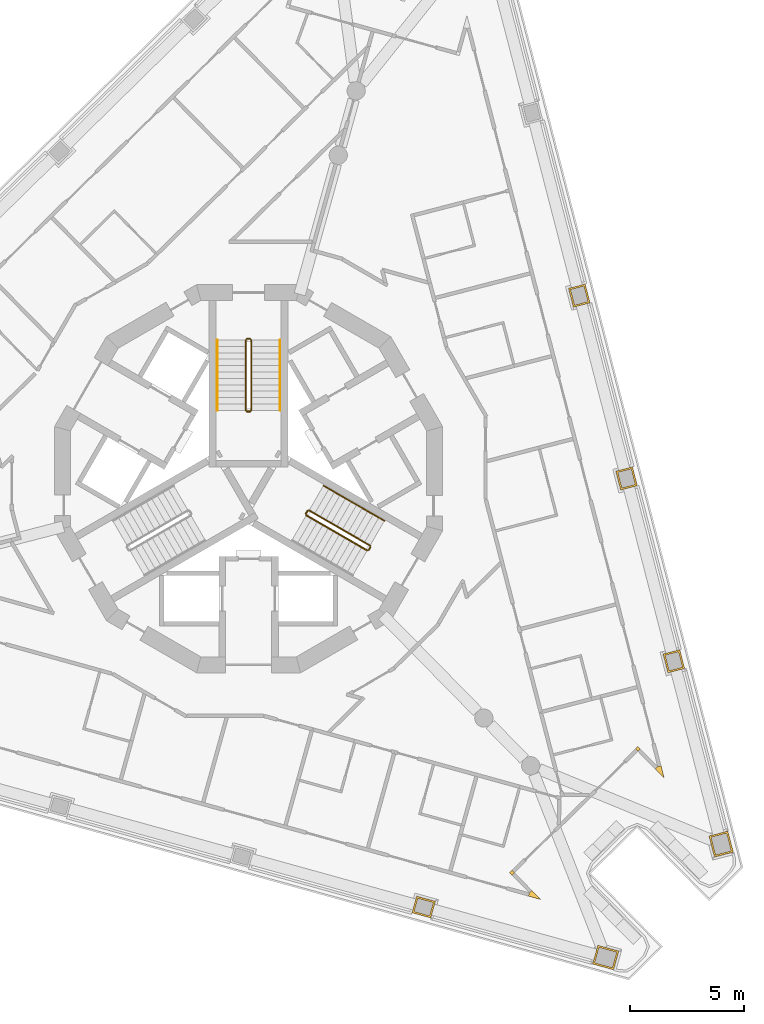
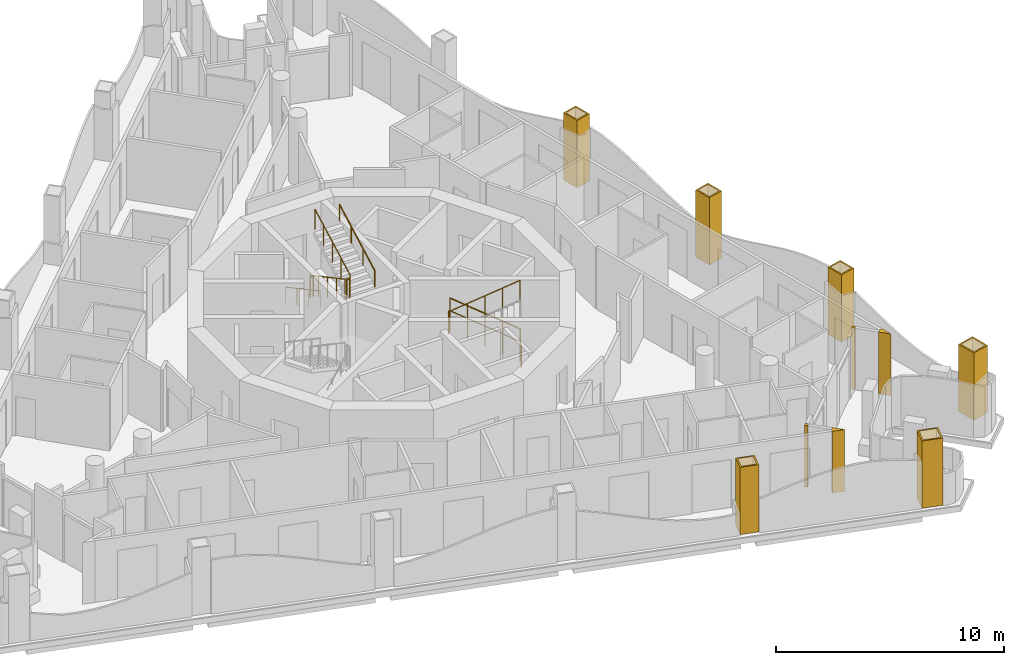
# One storey, part 12 of 14: 12 railings, 10 coverings.
"""IFC4 building model written with IfcOpenShell, lengths in metres."""

from ifc_helpers import new_model, si_unit, direction, frame, origin, origin_2d, place, context, subcontext, project, spatial, polyline, circle, outline, extrude, material, layer, layer_set, type_object, element, save


model = new_model("IFC4")

# Units and contexts
model_context = context("Model", 3, precision=1e-05, world=origin(), true_north=direction((0.0, 1.0)))
body_context = subcontext(model_context, "Body", "Model", "MODEL_VIEW")
ifc_project = project(units=[si_unit("LENGTHUNIT", "METRE"), si_unit("AREAUNIT", "SQUARE_METRE"), si_unit("VOLUMEUNIT", "CUBIC_METRE"), si_unit("PLANEANGLEUNIT", "RADIAN"), si_unit("MASSUNIT", "GRAM", prefix="KILO")], contexts=[model_context])

# Site, building, storey
site_placement = place(None, origin())
site = spatial("IfcSite", under=ifc_project, at=site_placement, CompositionType="ELEMENT")
building_placement = place(site_placement, origin())
building = spatial("IfcBuilding", under=site, at=building_placement, Name="Trine Commons Tower", CompositionType="ELEMENT")
storey_placement = place(building_placement, frame((0.0, 0.0, 245.699951171875)))
storey = spatial("IfcBuildingStorey", under=building, at=storey_placement, Name="L64", CompositionType="ELEMENT", Elevation=245.699951171875)

# Coverings
ifc_material_1 = material(Name="Aluminium-framed insulated wall panel", Category="aluminium")
ifc_layer_1 = layer(ifc_material_1, 0.14990234375)
ifc_layer_set_1 = layer_set([ifc_layer_1], Name="Aluminium-framed insulated wall panel")
covering_type_1 = type_object("IfcCoveringType", Name="Glazing corner post, aluminium", PredefinedType="CLADDING", material=ifc_layer_set_1)
covering_1_placement = place(storey_placement, origin())
element("IfcCovering", 1, at=covering_1_placement, inside=storey, type_object=covering_type_1, Name="Glazing corner post 7-06", PredefinedType="CLADDING", context=body_context, shape_type="SweptSolid", body=[
    extrude(outline(polyline([(97.80859375, 49.78515625), (98.200927734375, 49.3857421875), (98.060791015625, 49.927734375), (97.91552734375, 49.890380859375), (97.91552734375, 49.890380859375), (97.80859375, 49.78515625)])), origin(), (0.0, 0.0, 1.0), 3.300048828125),
])
covering_2_placement = place(storey_placement, origin())
element("IfcCovering", 2, at=covering_2_placement, inside=storey, type_object=covering_type_1, Name="Glazing corner post 7-07", PredefinedType="CLADDING", context=body_context, shape_type="SweptSolid", body=[
    extrude(outline(polyline([(96.9423828125, 50.66650390625), (97.047607421875, 50.5595703125), (97.154541015625, 50.66455078125), (97.04931640625, 50.771484375), (96.9423828125, 50.66650390625)])), origin(), (0.0, 0.0, 1.0), 3.300048828125),
])
covering_3_placement = place(storey_placement, origin())
element("IfcCovering", 3, at=covering_3_placement, inside=storey, type_object=covering_type_1, Name="Glazing corner post 7-08", PredefinedType="CLADDING", context=body_context, shape_type="SweptSolid", body=[
    extrude(outline(polyline([(91.5341796875, 45.1416015625), (91.64111328125, 45.24658203125), (91.535888671875, 45.353515625), (91.428955078125, 45.24853515625), (91.5341796875, 45.1416015625)])), origin(), (0.0, 0.0, 1.0), 3.300048828125),
])
covering_4_placement = place(storey_placement, origin())
element("IfcCovering", 4, at=covering_4_placement, inside=storey, type_object=covering_type_1, Name="Glazing corner post 7-09", PredefinedType="CLADDING", context=body_context, shape_type="SweptSolid", body=[
    extrude(outline(polyline([(92.255126953125, 44.222412109375), (92.79443359375, 44.072998046875), (92.402099609375, 44.47216796875), (92.295166015625, 44.3671875), (92.255126953125, 44.222412109375)])), origin(), (0.0, 0.0, 1.0), 3.300048828125),
])
ifc_material_2 = material(Name="Limestone, honed", Category="masonry")
ifc_layer_2 = layer(ifc_material_2, 0.074951171875)
ifc_layer_set_2 = layer_set([ifc_layer_2], Name="Limestone, honed")
covering_type_2 = type_object("IfcCoveringType", Name="Limestone column cladding 75", PredefinedType="CLADDING", material=ifc_layer_set_2)
covering_5_placement = place(storey_placement, origin())
element("IfcCovering", 5, at=covering_5_placement, inside=storey, type_object=covering_type_2, Name="Limestone pier cladding 7-01", PredefinedType="CLADDING", context=body_context, shape_type="SweptSolid", body=[
    extrude(outline(polyline([(95.292724609375, 42.0673828125), (95.0654296875, 41.248291015625), (95.98095703125, 40.994384765625), (96.2080078125, 41.8134765625), (95.292724609375, 42.0673828125)]), holes=[polyline([(95.344970703125, 41.97509765625), (95.15771484375, 41.300537109375), (95.9287109375, 41.086669921875), (96.11572265625, 41.76123046875), (95.344970703125, 41.97509765625)])]), origin(), (0.0, 0.0, 1.0), 3.60009765625),
])
covering_6_placement = place(storey_placement, origin())
element("IfcCovering", 6, at=covering_6_placement, inside=storey, type_object=covering_type_2, Name="Limestone pier cladding 7-02", PredefinedType="CLADDING", context=body_context, shape_type="SweptSolid", body=[
    extrude(outline(polyline([(87.359619140625, 44.215576171875), (87.158935546875, 43.492919921875), (87.97802734375, 43.265869140625), (88.1787109375, 43.988525390625), (87.359619140625, 44.215576171875)]), holes=[polyline([(87.41162109375, 44.123291015625), (87.25146484375, 43.545166015625), (87.92578125, 43.358154296875), (88.086181640625, 43.936279296875), (87.41162109375, 44.123291015625)])]), origin(), (0.0, 0.0, 1.0), 3.60009765625),
])
covering_7_placement = place(storey_placement, origin())
element("IfcCovering", 7, at=covering_7_placement, inside=storey, type_object=covering_type_2, Name="Limestone pier cladding 7-15", PredefinedType="CLADDING", context=body_context, shape_type="SweptSolid", body=[
    extrude(outline(polyline([(94.738525390625, 71.02099609375), (94.012451171875, 70.833251953125), (94.225341796875, 70.01025390625), (94.951416015625, 70.197998046875), (94.738525390625, 71.02099609375)]), holes=[polyline([(94.684814453125, 70.9296875), (94.10400390625, 70.779296875), (94.279296875, 70.101806640625), (94.860107421875, 70.251953125), (94.684814453125, 70.9296875)])]), origin(), (0.0, 0.0, 1.0), 3.60009765625),
])
covering_8_placement = place(storey_placement, origin())
element("IfcCovering", 8, at=covering_8_placement, inside=storey, type_object=covering_type_2, Name="Limestone pier cladding 7-16", PredefinedType="CLADDING", context=body_context, shape_type="SweptSolid", body=[
    extrude(outline(polyline([(96.808837890625, 63.015625), (96.082763671875, 62.827880859375), (96.295654296875, 62.0048828125), (97.021728515625, 62.192626953125), (96.808837890625, 63.015625)]), holes=[polyline([(96.755126953125, 62.92431640625), (96.17431640625, 62.77392578125), (96.349609375, 62.09619140625), (96.930419921875, 62.24658203125), (96.755126953125, 62.92431640625)])]), origin(), (0.0, 0.0, 1.0), 3.60009765625),
])
covering_9_placement = place(storey_placement, origin())
element("IfcCovering", 9, at=covering_9_placement, inside=storey, type_object=covering_type_2, Name="Limestone pier cladding 7-17", PredefinedType="CLADDING", context=body_context, shape_type="SweptSolid", body=[
    extrude(outline(polyline([(98.87939453125, 55.010498046875), (98.1533203125, 54.822509765625), (98.3662109375, 53.99951171875), (99.09228515625, 54.1875), (98.87939453125, 55.010498046875)]), holes=[polyline([(98.825439453125, 54.9189453125), (98.24462890625, 54.768798828125), (98.419921875, 54.091064453125), (99.000732421875, 54.2412109375), (98.825439453125, 54.9189453125)])]), origin(), (0.0, 0.0, 1.0), 3.60009765625),
])
covering_10_placement = place(storey_placement, origin())
element("IfcCovering", 10, at=covering_10_placement, inside=storey, type_object=covering_type_2, Name="Limestone pier cladding 7-18", PredefinedType="CLADDING", context=body_context, shape_type="SweptSolid", body=[
    extrude(outline(polyline([(100.985595703125, 47.06591796875), (100.16259765625, 46.853271484375), (100.400390625, 45.933349609375), (101.223388671875, 46.146240234375), (100.985595703125, 47.06591796875)]), holes=[polyline([(100.931640625, 46.974609375), (100.25390625, 46.79931640625), (100.454345703125, 46.02490234375), (101.132080078125, 46.2001953125), (100.931640625, 46.974609375)])]), origin(), (0.0, 0.0, 1.0), 3.60009765625),
])

# Railings
ifc_material_3 = material(Name="Stainless steel balustrade", Category="steel")
railing_type_1 = type_object("IfcRailingType", Name="Stair guard, steel balustrade 1100", PredefinedType="GUARDRAIL", material=ifc_material_3)
railing_1_placement = place(storey_placement, frame((79.875, 68.570556640625, 0.150146484375)))
element("IfcRailing", 11, at=railing_1_placement, inside=storey, type_object=railing_type_1, Name="L64 ST1C stair guard 1", PredefinedType="GUARDRAIL", context=body_context, shape_type="SweptSolid", body=[
    extrude(circle(Radius=0.02392578125, at=origin_2d()), frame((0.0, 0.0, 1.076171875), z_axis=(0.0, -0.881496589024, 0.472190389079), x_axis=(1.0, 0.0, 0.0)), (0.0, 0.0, 1.0), 3.494140625),
    extrude(circle(Radius=0.02099609375, at=origin_2d()), origin(), (0.0, 0.0, 1.0), 1.052001953125),
    extrude(circle(Radius=0.02099609375, at=origin_2d()), frame((0.0, -0.77001953125, 0.41259765625)), (0.0, 0.0, 1.0), 1.052001953125),
    extrude(circle(Radius=0.02099609375, at=origin_2d()), frame((0.0, -1.5400390625, 0.824951171875)), (0.0, 0.0, 1.0), 1.052001953125),
    extrude(circle(Radius=0.02099609375, at=origin_2d()), frame((0.0, -2.31005859375, 1.2373046875)), (0.0, 0.0, 1.0), 1.052001953125),
    extrude(circle(Radius=0.02099609375, at=origin_2d()), frame((0.0, -3.080078125, 1.64990234375)), (0.0, 0.0, 1.0), 1.052001953125),
])
railing_2_placement = place(storey_placement, frame((79.925048828125, 65.440673828125, 1.800048828125)))
element("IfcRailing", 12, at=railing_2_placement, inside=storey, type_object=railing_type_1, Name="L64 ST1C stair guard 2", PredefinedType="GUARDRAIL", context=body_context, shape_type="SweptSolid", body=[
    extrude(circle(Radius=0.02392578125, at=origin_2d()), frame((0.0, 0.0, 1.076171875), z_axis=(1.0, 0.0, 0.0), x_axis=(0.0, 1.0, 0.0)), (0.0, 0.0, 1.0), 0.14990234375),
    extrude(circle(Radius=0.02099609375, at=origin_2d()), origin(), (0.0, 0.0, 1.0), 1.052001953125),
    extrude(circle(Radius=0.02099609375, at=origin_2d()), frame((0.14990234375, 0.0, 0.0)), (0.0, 0.0, 1.0), 1.052001953125),
])
railing_3_placement = place(storey_placement, frame((80.125, 65.490478515625, 1.949951171875)))
element("IfcRailing", 13, at=railing_3_placement, inside=storey, type_object=railing_type_1, Name="L64 ST1C stair guard 3", PredefinedType="GUARDRAIL", context=body_context, shape_type="SweptSolid", body=[
    extrude(circle(Radius=0.02392578125, at=origin_2d()), frame((0.0, 0.0, 1.076171875), z_axis=(0.0, 0.881467505477, 0.472244678941), x_axis=(-1.0, 0.0, 0.0)), (0.0, 0.0, 1.0), 3.494140625),
    extrude(circle(Radius=0.02099609375, at=origin_2d()), origin(), (0.0, 0.0, 1.0), 1.052001953125),
    extrude(circle(Radius=0.02099609375, at=origin_2d()), frame((0.0, 0.77001953125, 0.41259765625)), (0.0, 0.0, 1.0), 1.052001953125),
    extrude(circle(Radius=0.02099609375, at=origin_2d()), frame((0.0, 1.5400390625, 0.8251953125)), (0.0, 0.0, 1.0), 1.052001953125),
    extrude(circle(Radius=0.02099609375, at=origin_2d()), frame((0.0, 2.31005859375, 1.237548828125)), (0.0, 0.0, 1.0), 1.052001953125),
    extrude(circle(Radius=0.02099609375, at=origin_2d()), frame((0.0, 3.080078125, 1.650146484375)), (0.0, 0.0, 1.0), 1.052001953125),
])
railing_4_placement = place(storey_placement, frame((79.925048828125, 68.62060546875, 0.0)))
element("IfcRailing", 14, at=railing_4_placement, inside=storey, type_object=railing_type_1, Name="L64 ST1C stair guard 4", PredefinedType="GUARDRAIL", context=body_context, shape_type="SweptSolid", body=[
    extrude(circle(Radius=0.02392578125, at=origin_2d()), frame((0.0, 0.0, 1.076171875), z_axis=(1.0, 0.0, 0.0), x_axis=(0.0, 1.0, 0.0)), (0.0, 0.0, 1.0), 0.14990234375),
    extrude(circle(Radius=0.02099609375, at=origin_2d()), origin(), (0.0, 0.0, 1.0), 1.052001953125),
    extrude(circle(Radius=0.02099609375, at=origin_2d()), frame((0.14990234375, 0.0, 0.0)), (0.0, 0.0, 1.0), 1.052001953125),
])
railing_5_placement = place(storey_placement, frame((85.31982421875, 59.572998046875, 0.150146484375)))
element("IfcRailing", 15, at=railing_5_placement, inside=storey, type_object=railing_type_1, Name="L64 ST3C stair guard 1", PredefinedType="GUARDRAIL", context=body_context, shape_type="SweptSolid", body=[
    extrude(circle(Radius=0.02392578125, at=origin_2d()), frame((0.0, 0.0, 1.076171875), z_axis=(-0.76340495495, 0.440743040072, 0.472184759798), x_axis=(-0.499992328818, -0.866029832698, 0.0)), (0.0, 0.0, 1.0), 3.494140625),
    extrude(circle(Radius=0.02099609375, at=origin_2d()), origin(), (0.0, 0.0, 1.0), 1.052001953125),
    extrude(circle(Radius=0.02099609375, at=origin_2d()), frame((-0.6669921875, 0.385009765625, 0.41259765625)), (0.0, 0.0, 1.0), 1.052001953125),
    extrude(circle(Radius=0.02099609375, at=origin_2d()), frame((-1.333740234375, 0.77001953125, 0.824951171875)), (0.0, 0.0, 1.0), 1.052001953125),
    extrude(circle(Radius=0.02099609375, at=origin_2d()), frame((-2.00048828125, 1.155029296875, 1.2373046875)), (0.0, 0.0, 1.0), 1.052001953125),
    extrude(circle(Radius=0.02099609375, at=origin_2d()), frame((-2.66748046875, 1.5400390625, 1.64990234375)), (0.0, 0.0, 1.0), 1.052001953125),
])
railing_6_placement = place(storey_placement, frame((82.584228515625, 61.0947265625, 1.800048828125)))
element("IfcRailing", 16, at=railing_6_placement, inside=storey, type_object=railing_type_1, Name="L64 ST3C stair guard 2", PredefinedType="GUARDRAIL", context=body_context, shape_type="SweptSolid", body=[
    extrude(circle(Radius=0.02392578125, at=origin_2d()), frame((0.0, 0.0, 1.076171875), z_axis=(-0.501036270542, -0.865426285481, 0.0), x_axis=(0.865426285481, -0.501036270542, 0.0)), (0.0, 0.0, 1.0), 0.150146484375),
    extrude(circle(Radius=0.02099609375, at=origin_2d()), origin(), (0.0, 0.0, 1.0), 1.052001953125),
    extrude(circle(Radius=0.02099609375, at=origin_2d()), frame((-0.0751953125, -0.1298828125, 0.0)), (0.0, 0.0, 1.0), 1.052001953125),
])
railing_7_placement = place(storey_placement, frame((82.52734375, 60.896484375, 1.949951171875)))
element("IfcRailing", 17, at=railing_7_placement, inside=storey, type_object=railing_type_1, Name="L64 ST3C stair guard 3", PredefinedType="GUARDRAIL", context=body_context, shape_type="SweptSolid", body=[
    extrude(circle(Radius=0.02392578125, at=origin_2d()), frame((0.0, 0.0, 1.076171875), z_axis=(0.763379768245, -0.440728498818, 0.472239049384), x_axis=(0.499992328818, 0.866029832698, 0.0)), (0.0, 0.0, 1.0), 3.494384765625),
    extrude(circle(Radius=0.02099609375, at=origin_2d()), origin(), (0.0, 0.0, 1.0), 1.052001953125),
    extrude(circle(Radius=0.02099609375, at=origin_2d()), frame((0.6669921875, -0.385009765625, 0.41259765625)), (0.0, 0.0, 1.0), 1.052001953125),
    extrude(circle(Radius=0.02099609375, at=origin_2d()), frame((1.333740234375, -0.77001953125, 0.8251953125)), (0.0, 0.0, 1.0), 1.052001953125),
    extrude(circle(Radius=0.02099609375, at=origin_2d()), frame((2.00048828125, -1.155029296875, 1.237548828125)), (0.0, 0.0, 1.0), 1.052001953125),
    extrude(circle(Radius=0.02099609375, at=origin_2d()), frame((2.66748046875, -1.5400390625, 1.650146484375)), (0.0, 0.0, 1.0), 1.052001953125),
])
railing_8_placement = place(storey_placement, frame((85.338134765625, 59.504638671875, 0.0)))
element("IfcRailing", 18, at=railing_8_placement, inside=storey, type_object=railing_type_1, Name="L64 ST3C stair guard 4", PredefinedType="GUARDRAIL", context=body_context, shape_type="SweptSolid", body=[
    extrude(circle(Radius=0.02392578125, at=origin_2d()), frame((0.0, 0.0, 1.076171875), z_axis=(-0.499816412211, -0.866131372301, 0.0), x_axis=(0.866131372301, -0.499816412211, 0.0)), (0.0, 0.0, 1.0), 0.14990234375),
    extrude(circle(Radius=0.02099609375, at=origin_2d()), origin(), (0.0, 0.0, 1.0), 1.052001953125),
    extrude(circle(Radius=0.02099609375, at=origin_2d()), frame((-0.074951171875, -0.1298828125, 0.0)), (0.0, 0.0, 1.0), 1.052001953125),
])
ifc_material_4 = material(Name="Stainless steel handrail", Category="steel")
railing_type_2 = type_object("IfcRailingType", Name="Stair handrail, steel 900", PredefinedType="HANDRAIL", material=ifc_material_4)
railing_9_placement = place(storey_placement, frame((78.625, 68.570556640625, 0.150146484375)))
element("IfcRailing", 19, at=railing_9_placement, inside=storey, type_object=railing_type_2, Name="L64 ST1C stair handrail 1", PredefinedType="HANDRAIL", context=body_context, shape_type="SweptSolid", body=[
    extrude(circle(Radius=0.02099609375, at=origin_2d()), frame((0.0, 0.0, 0.87890625), z_axis=(0.0, -0.881496589024, 0.472190389079), x_axis=(1.0, 0.0, 0.0)), (0.0, 0.0, 1.0), 3.494140625),
    extrude(circle(Radius=0.01513671875, at=origin_2d()), origin(), (0.0, 0.0, 1.0), 0.85791015625),
    extrude(circle(Radius=0.01513671875, at=origin_2d()), frame((0.0, -1.026611328125, 0.550048828125)), (0.0, 0.0, 1.0), 0.85791015625),
    extrude(circle(Radius=0.01513671875, at=origin_2d()), frame((0.0, -2.053466796875, 1.099853515625)), (0.0, 0.0, 1.0), 0.85791015625),
    extrude(circle(Radius=0.01513671875, at=origin_2d()), frame((0.0, -3.080078125, 1.64990234375)), (0.0, 0.0, 1.0), 0.85791015625),
])
railing_10_placement = place(storey_placement, frame((81.375, 65.490478515625, 1.949951171875)))
element("IfcRailing", 20, at=railing_10_placement, inside=storey, type_object=railing_type_2, Name="L64 ST1C stair handrail 2", PredefinedType="HANDRAIL", context=body_context, shape_type="SweptSolid", body=[
    extrude(circle(Radius=0.02099609375, at=origin_2d()), frame((0.0, 0.0, 0.87890625), z_axis=(0.0, 0.881467505477, 0.472244678941), x_axis=(-1.0, 0.0, 0.0)), (0.0, 0.0, 1.0), 3.494140625),
    extrude(circle(Radius=0.01513671875, at=origin_2d()), origin(), (0.0, 0.0, 1.0), 0.85791015625),
    extrude(circle(Radius=0.01513671875, at=origin_2d()), frame((0.0, 1.026611328125, 0.550048828125)), (0.0, 0.0, 1.0), 0.85791015625),
    extrude(circle(Radius=0.01513671875, at=origin_2d()), frame((0.0, 2.053466796875, 1.10009765625)), (0.0, 0.0, 1.0), 0.85791015625),
    extrude(circle(Radius=0.01513671875, at=origin_2d()), frame((0.0, 3.080078125, 1.650146484375)), (0.0, 0.0, 1.0), 0.85791015625),
])
for number, where, name in (
    (21, (85.94482421875, 60.655517578125, 0.150146484375), "L64 ST3C stair handrail 1"),
    (22, (84.611083984375, 61.425537109375, 0.97509765625), "L64 ST3C stair handrail 2"),
):
    element("IfcRailing", number, at=place(storey_placement, frame(where)), inside=storey, type_object=railing_type_2, Name=name, PredefinedType="HANDRAIL", context=body_context, shape_type="SweptSolid", body=[
        extrude(circle(Radius=0.02099609375, at=origin_2d()), frame((0.0, 0.0, 0.87890625), z_axis=(-0.76340495495, 0.440743040072, 0.472184759798), x_axis=(-0.499992328818, -0.866029832698, 0.0)), (0.0, 0.0, 1.0), 1.7470703125),
        extrude(circle(Radius=0.01513671875, at=origin_2d()), origin(), (0.0, 0.0, 1.0), 0.85791015625),
        extrude(circle(Radius=0.01513671875, at=origin_2d()), frame((-0.6669921875, 0.385009765625, 0.41259765625)), (0.0, 0.0, 1.0), 0.85791015625),
        extrude(circle(Radius=0.01513671875, at=origin_2d()), frame((-1.333740234375, 0.77001953125, 0.824951171875)), (0.0, 0.0, 1.0), 0.85791015625),
    ])

save(model, "model.ifc")
